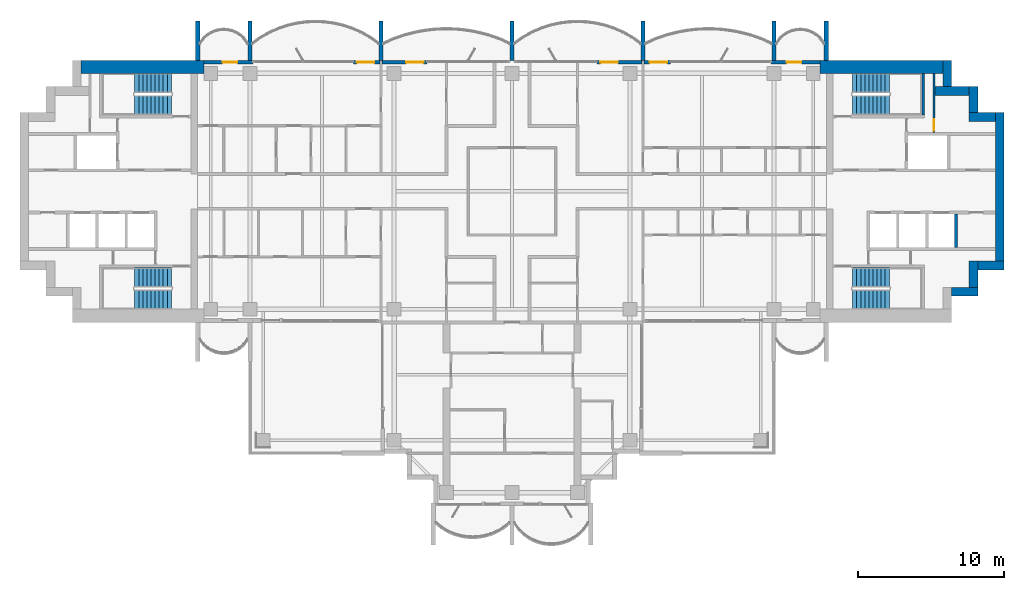
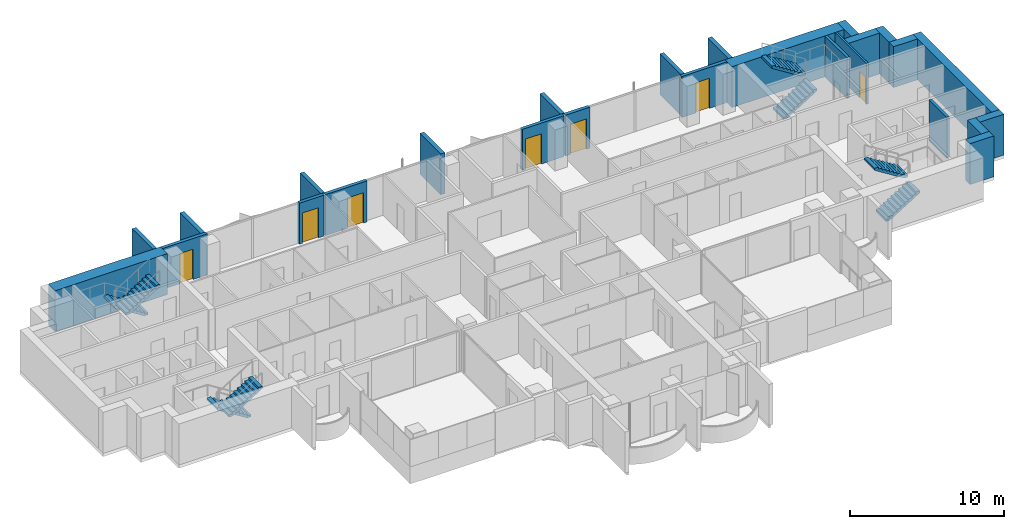
# One storey, part 13 of 17: 26 walls, 8 stair flights, 7 doors, 7 openings, 4 elements without a shape of their own.
"""IFC4 building model written with IfcOpenShell, lengths in metres."""

from ifc_helpers import new_model, si_unit, direction, frame, frame_2d, origin, place, context, subcontext, project, spatial, polyline, rectangle, outline, extrude, material, layer, layer_set, type_object, element, fill, aggregate, save


model = new_model("IFC4")

# Units and contexts
model_context = context("Model", 3, precision=1e-05, world=origin(), true_north=direction((0.0, 1.0)))
body_context = subcontext(model_context, "Body", "Model", "MODEL_VIEW")
ifc_project = project(units=[si_unit("LENGTHUNIT", "METRE"), si_unit("AREAUNIT", "SQUARE_METRE"), si_unit("VOLUMEUNIT", "CUBIC_METRE"), si_unit("PLANEANGLEUNIT", "RADIAN"), si_unit("MASSUNIT", "GRAM", prefix="KILO")], contexts=[model_context])

# Site, building, storey
site_placement = place(None, origin())
site = spatial("IfcSite", under=ifc_project, at=site_placement, CompositionType="ELEMENT")
building_placement = place(site_placement, origin())
building = spatial("IfcBuilding", under=site, at=building_placement, Name="Perihelion Cross Residences", CompositionType="ELEMENT")
storey_placement = place(building_placement, frame((0.0, 0.0, 194.60009765625)))
storey = spatial("IfcBuildingStorey", under=building, at=storey_placement, Name="L48", CompositionType="ELEMENT", Elevation=194.60009765625)

# Wall, opening, door
ifc_material_1 = material(Name="Concrete C30/37, bronze-clad", Category="concrete")
ifc_layer_1 = layer(ifc_material_1, 0.25)
ifc_layer_set_1 = layer_set([ifc_layer_1], Name="Bronze-clad pier wall 250")
wall_type_1 = type_object("IfcWallType", Name="Bronze-clad pier wall 250", PredefinedType="SOLIDWALL", material=ifc_layer_set_1)
wall_1_placement = place(storey_placement, frame((21.175048828125, 8.875, 0.0), z_axis=(0.0, 0.0, 1.0), x_axis=(-1.0, 0.0, 0.0)))
wall_1 = element("IfcWall", 1, at=wall_1_placement, inside=storey, type_object=wall_type_1, Name="Wall FW1 L48 east side north bay 1 pier", PredefinedType="SOLIDWALL", context=body_context, shape_type="SweptSolid", body=[
    extrude(rectangle(XDim=3.375, YDim=0.25, at=frame_2d((1.6875, 0.0))), origin(), (0.0, 0.0, 1.0), 3.25),
])
opening_1_placement = place(wall_1_placement, frame((1.300048828125, 0.0, 0.0)))
opening_1 = element("IfcOpeningElement", 2, at=opening_1_placement, cuts=wall_1, Name="Opening L48.E01", PredefinedType="OPENING", context=body_context, shape_type="SweptSolid", body=[
    extrude(rectangle(XDim=1.0, YDim=2.39990234375, at=frame_2d((0.5, 1.199951171875))), frame((0.0, 0.135009765625, 0.0), z_axis=(0.0, -1.0, 0.0), x_axis=(1.0, 0.0, 0.0)), (0.0, 0.0, 1.0), 0.27001953125),
])
ifc_material_2 = material(Name="Bronze anodised aluminium, glazed", Category="aluminium")
door_type_1 = type_object("IfcDoorType", Name="Balcony door 1000 x 2400", OperationType="NOTDEFINED", PredefinedType="DOOR", material=ifc_material_2)
door_1_placement = place(opening_1_placement, origin())
door_1 = element("IfcDoor", 3, at=door_1_placement, inside=storey, type_object=door_type_1, Name="Door L48.E01 east side north bay 1", OperationType="SINGLE_SWING_LEFT", OverallHeight=2.39990234375, OverallWidth=1.0, PredefinedType="DOOR", context=body_context, shape_type="SweptSolid", body=[
    extrude(rectangle(XDim=1.0, YDim=2.39990234375, at=frame_2d((0.5, 1.199951171875))), frame((0.0, 0.02490234375, 0.0), z_axis=(0.0, -1.0, 0.0), x_axis=(1.0, 0.0, 0.0)), (0.0, 0.0, 1.0), 0.050048828125),
])
fill(opening_1, door_1)

wall_2_placement = place(storey_placement, frame((10.89990234375, 8.875, 0.0), z_axis=(0.0, 0.0, 1.0), x_axis=(-1.0, 0.0, 0.0)))
wall_2 = element("IfcWall", 4, at=wall_2_placement, inside=storey, type_object=wall_type_1, Name="Wall FW1 L48 east side north bay 2 pier", PredefinedType="SOLIDWALL", context=body_context, shape_type="SweptSolid", body=[
    extrude(rectangle(XDim=1.83984375, YDim=0.25, at=frame_2d((0.919921875, 0.0))), origin(), (0.0, 0.0, 1.0), 3.25),
])
opening_2_placement = place(wall_2_placement, frame((0.25, 0.0, 0.0)))
opening_2 = element("IfcOpeningElement", 5, at=opening_2_placement, cuts=wall_2, Name="Opening L48.E02", PredefinedType="OPENING", context=body_context, shape_type="SweptSolid", body=[
    extrude(rectangle(XDim=1.199951171875, YDim=2.39990234375, at=frame_2d((0.60009765625, 1.199951171875))), frame((0.0, 0.135009765625, 0.0), z_axis=(0.0, -1.0, 0.0), x_axis=(1.0, 0.0, 0.0)), (0.0, 0.0, 1.0), 0.27001953125),
])
ifc_material_3 = material(Name="Bronze anodised aluminium, glazed", Category="aluminium")
door_type_2 = type_object("IfcDoorType", Name="Balcony door 1200 x 2400", OperationType="NOTDEFINED", PredefinedType="DOOR", material=ifc_material_3)
door_2_placement = place(opening_2_placement, origin())
door_2 = element("IfcDoor", 6, at=door_2_placement, inside=storey, type_object=door_type_2, Name="Door L48.E02 east side north bay 2", OperationType="SINGLE_SWING_RIGHT", OverallHeight=2.39990234375, OverallWidth=1.199951171875, PredefinedType="DOOR", context=body_context, shape_type="SweptSolid", body=[
    extrude(rectangle(XDim=1.199951171875, YDim=2.39990234375, at=frame_2d((0.60009765625, 1.199951171875))), frame((0.0, 0.02490234375, 0.0), z_axis=(0.0, -1.0, 0.0), x_axis=(1.0, 0.0, 0.0)), (0.0, 0.0, 1.0), 0.050048828125),
])
fill(opening_2, door_2)

wall_3_placement = place(storey_placement, frame((8.93994140625, 8.875, 0.0), z_axis=(0.0, 0.0, 1.0), x_axis=(-1.0, 0.0, 0.0)))
wall_3 = element("IfcWall", 7, at=wall_3_placement, inside=storey, type_object=wall_type_1, Name="Wall FW1 L48 north side east bay 1 pier", PredefinedType="SOLIDWALL", context=body_context, shape_type="SweptSolid", body=[
    extrude(rectangle(XDim=3.114990234375, YDim=0.25, at=frame_2d((1.5576171875, 0.0))), origin(), (0.0, 0.0, 1.0), 3.25),
])
opening_3_placement = place(wall_3_placement, frame((1.6650390625, 0.0, 0.0)))
opening_3 = element("IfcOpeningElement", 8, at=opening_3_placement, cuts=wall_3, Name="Opening L48.E03", PredefinedType="OPENING", context=body_context, shape_type="SweptSolid", body=[
    extrude(rectangle(XDim=1.199951171875, YDim=2.39990234375, at=frame_2d((0.60009765625, 1.199951171875))), frame((0.0, 0.135009765625, 0.0), z_axis=(0.0, -1.0, 0.0), x_axis=(1.0, 0.0, 0.0)), (0.0, 0.0, 1.0), 0.27001953125),
])
door_3_placement = place(opening_3_placement, origin())
door_3 = element("IfcDoor", 9, at=door_3_placement, inside=storey, type_object=door_type_2, Name="Door L48.E03 north side east bay 1", OperationType="SINGLE_SWING_LEFT", OverallHeight=2.39990234375, OverallWidth=1.199951171875, PredefinedType="DOOR", context=body_context, shape_type="SweptSolid", body=[
    extrude(rectangle(XDim=1.199951171875, YDim=2.39990234375, at=frame_2d((0.60009765625, 1.199951171875))), frame((0.0, 0.02490234375, 0.0), z_axis=(0.0, -1.0, 0.0), x_axis=(1.0, 0.0, 0.0)), (0.0, 0.0, 1.0), 0.050048828125),
])
fill(opening_3, door_3)

wall_4_placement = place(storey_placement, frame((-5.824951171875, 8.875, 0.0), z_axis=(0.0, 0.0, 1.0), x_axis=(-1.0, 0.0, 0.0)))
wall_4 = element("IfcWall", 10, at=wall_4_placement, inside=storey, type_object=wall_type_1, Name="Wall FW1 L48 north side east bay 2 pier", PredefinedType="SOLIDWALL", context=body_context, shape_type="SweptSolid", body=[
    extrude(rectangle(XDim=3.114990234375, YDim=0.25, at=frame_2d((1.5576171875, 0.0))), origin(), (0.0, 0.0, 1.0), 3.25),
])
opening_4_placement = place(wall_4_placement, frame((0.25, 0.0, 0.0)))
opening_4 = element("IfcOpeningElement", 11, at=opening_4_placement, cuts=wall_4, Name="Opening L48.E04", PredefinedType="OPENING", context=body_context, shape_type="SweptSolid", body=[
    extrude(rectangle(XDim=1.199951171875, YDim=2.39990234375, at=frame_2d((0.60009765625, 1.199951171875))), frame((0.0, 0.135009765625, 0.0), z_axis=(0.0, -1.0, 0.0), x_axis=(1.0, 0.0, 0.0)), (0.0, 0.0, 1.0), 0.27001953125),
])
door_4_placement = place(opening_4_placement, origin())
door_4 = element("IfcDoor", 12, at=door_4_placement, inside=storey, type_object=door_type_2, Name="Door L48.E04 north side east bay 2", OperationType="SINGLE_SWING_RIGHT", OverallHeight=2.39990234375, OverallWidth=1.199951171875, PredefinedType="DOOR", context=body_context, shape_type="SweptSolid", body=[
    extrude(rectangle(XDim=1.199951171875, YDim=2.39990234375, at=frame_2d((0.60009765625, 1.199951171875))), frame((0.0, 0.02490234375, 0.0), z_axis=(0.0, -1.0, 0.0), x_axis=(1.0, 0.0, 0.0)), (0.0, 0.0, 1.0), 0.050048828125),
])
fill(opening_4, door_4)

wall_5_placement = place(storey_placement, frame((-9.06005859375, 8.875, 0.0), z_axis=(0.0, 0.0, 1.0), x_axis=(-1.0, 0.0, 0.0)))
wall_5 = element("IfcWall", 13, at=wall_5_placement, inside=storey, type_object=wall_type_1, Name="Wall FW1 L48 west side north bay 1 pier", PredefinedType="SOLIDWALL", context=body_context, shape_type="SweptSolid", body=[
    extrude(rectangle(XDim=1.83984375, YDim=0.25, at=frame_2d((0.919921875, 0.0))), origin(), (0.0, 0.0, 1.0), 3.25),
])
opening_5_placement = place(wall_5_placement, frame((0.389892578125, 0.0, 0.0)))
opening_5 = element("IfcOpeningElement", 14, at=opening_5_placement, cuts=wall_5, Name="Opening L48.E05", PredefinedType="OPENING", context=body_context, shape_type="SweptSolid", body=[
    extrude(rectangle(XDim=1.199951171875, YDim=2.39990234375, at=frame_2d((0.60009765625, 1.199951171875))), frame((0.0, 0.135009765625, 0.0), z_axis=(0.0, -1.0, 0.0), x_axis=(1.0, 0.0, 0.0)), (0.0, 0.0, 1.0), 0.27001953125),
])
door_5_placement = place(opening_5_placement, origin())
door_5 = element("IfcDoor", 15, at=door_5_placement, inside=storey, type_object=door_type_2, Name="Door L48.E05 west side north bay 1", OperationType="SINGLE_SWING_LEFT", OverallHeight=2.39990234375, OverallWidth=1.199951171875, PredefinedType="DOOR", context=body_context, shape_type="SweptSolid", body=[
    extrude(rectangle(XDim=1.199951171875, YDim=2.39990234375, at=frame_2d((0.60009765625, 1.199951171875))), frame((0.0, 0.02490234375, 0.0), z_axis=(0.0, -1.0, 0.0), x_axis=(1.0, 0.0, 0.0)), (0.0, 0.0, 1.0), 0.050048828125),
])
fill(opening_5, door_5)

wall_6_placement = place(storey_placement, frame((-17.800048828125, 8.875, 0.0), z_axis=(0.0, 0.0, 1.0), x_axis=(-1.0, 0.0, 0.0)))
wall_6 = element("IfcWall", 16, at=wall_6_placement, inside=storey, type_object=wall_type_1, Name="Wall FW1 L48 west side north bay 2 pier", PredefinedType="SOLIDWALL", context=body_context, shape_type="SweptSolid", body=[
    extrude(rectangle(XDim=3.375, YDim=0.25, at=frame_2d((1.6875, 0.0))), origin(), (0.0, 0.0, 1.0), 3.25),
])
opening_6_placement = place(wall_6_placement, frame((1.074951171875, 0.0, 0.0)))
opening_6 = element("IfcOpeningElement", 17, at=opening_6_placement, cuts=wall_6, Name="Opening L48.E06", PredefinedType="OPENING", context=body_context, shape_type="SweptSolid", body=[
    extrude(rectangle(XDim=1.0, YDim=2.39990234375, at=frame_2d((0.5, 1.199951171875))), frame((0.0, 0.135009765625, 0.0), z_axis=(0.0, -1.0, 0.0), x_axis=(1.0, 0.0, 0.0)), (0.0, 0.0, 1.0), 0.27001953125),
])
door_6_placement = place(opening_6_placement, origin())
door_6 = element("IfcDoor", 18, at=door_6_placement, inside=storey, type_object=door_type_1, Name="Door L48.E06 west side north bay 2", OperationType="SINGLE_SWING_RIGHT", OverallHeight=2.39990234375, OverallWidth=1.0, PredefinedType="DOOR", context=body_context, shape_type="SweptSolid", body=[
    extrude(rectangle(XDim=1.0, YDim=2.39990234375, at=frame_2d((0.5, 1.199951171875))), frame((0.0, 0.02490234375, 0.0), z_axis=(0.0, -1.0, 0.0), x_axis=(1.0, 0.0, 0.0)), (0.0, 0.0, 1.0), 0.050048828125),
])
fill(opening_6, door_6)

# Walls
ifc_material_4 = material(Name="Concrete C60/75", Category="concrete")
ifc_layer_2 = layer(ifc_material_4, 0.60009765625)
ifc_layer_set_2 = layer_set([ifc_layer_2], Name="Core wall, outer 600")
wall_type_2 = type_object("IfcWallType", Name="Core wall, outer 600", PredefinedType="SHEAR", material=ifc_layer_set_2)
for number, where, z_axis, x_axis, name in (
    (19, (30.199951171875, -6.89990234375, 0.0), (0.0, 0.0, 1.0), (1.0, 0.0, 0.0), "East core core wall, outer"),
    (20, (31.699951171875, -6.60009765625, 0.0), (0.0, 0.0, 1.0), (0.0, 1.0, 0.0), "East core core wall, outer"),
    (21, (32.0, -5.10009765625, 0.0), (0.0, 0.0, 1.0), (1.0, 0.0, 0.0), "East core core wall, outer"),
):
    element("IfcWall", number, at=place(storey_placement, frame(where, z_axis=z_axis, x_axis=x_axis)), inside=storey, type_object=wall_type_2, Name=name, PredefinedType="SHEAR", context=body_context, shape_type="SweptSolid", body=[
        extrude(rectangle(XDim=1.800048828125, YDim=0.60009765625, at=frame_2d((0.89990234375, 0.0))), origin(), (0.0, 0.0, 1.0), 3.25),
    ])
wall_7_placement = place(storey_placement, frame((33.5, -4.800048828125, 0.0), z_axis=(0.0, 0.0, 1.0), x_axis=(0.0, 1.0, 0.0)))
element("IfcWall", 22, at=wall_7_placement, inside=storey, type_object=wall_type_2, Name="East core core wall, outer", PredefinedType="SHEAR", context=body_context, shape_type="SweptSolid", body=[
    extrude(rectangle(XDim=10.199951171875, YDim=0.60009765625, at=frame_2d((5.10009765625, 0.0))), origin(), (0.0, 0.0, 1.0), 3.25),
])
for number, where, z_axis, x_axis, name in (
    (23, (31.39990234375, 5.10009765625, 0.0), (0.0, 0.0, 1.0), (1.0, 0.0, 0.0), "East core core wall, outer"),
    (24, (31.699951171875, 5.39990234375, 0.0), (0.0, 0.0, 1.0), (0.0, 1.0, 0.0), "East core core wall, outer"),
):
    element("IfcWall", number, at=place(storey_placement, frame(where, z_axis=z_axis, x_axis=x_axis)), inside=storey, type_object=wall_type_2, Name=name, PredefinedType="SHEAR", context=body_context, shape_type="SweptSolid", body=[
        extrude(rectangle(XDim=1.800048828125, YDim=0.60009765625, at=frame_2d((0.89990234375, 0.0))), origin(), (0.0, 0.0, 1.0), 3.25),
    ])
wall_8_placement = place(storey_placement, frame((29.074951171875, 6.89990234375, 0.0), z_axis=(0.0, 0.0, 1.0), x_axis=(1.0, 0.0, 0.0)))
element("IfcWall", 25, at=wall_8_placement, inside=storey, type_object=wall_type_2, Name="East core core wall, outer", PredefinedType="SHEAR", context=body_context, shape_type="SweptSolid", body=[
    extrude(rectangle(XDim=2.324951171875, YDim=0.60009765625, at=frame_2d((1.16259765625, 0.0))), origin(), (0.0, 0.0, 1.0), 3.25),
])
wall_9_placement = place(storey_placement, frame((29.89990234375, 7.199951171875, 0.0), z_axis=(0.0, 0.0, 1.0), x_axis=(0.0, 1.0, 0.0)))
element("IfcWall", 26, at=wall_9_placement, inside=storey, type_object=wall_type_2, Name="East core core wall, outer", PredefinedType="SHEAR", context=body_context, shape_type="SweptSolid", body=[
    extrude(rectangle(XDim=1.800048828125, YDim=0.60009765625, at=frame_2d((0.89990234375, 0.0))), origin(), (0.0, 0.0, 1.0), 3.25),
])
ifc_material_5 = material(Name="Concrete C60/75", Category="concrete")
ifc_layer_3 = layer(ifc_material_5, 0.89990234375)
ifc_layer_set_3 = layer_set([ifc_layer_3], Name="Core wall, outer 900")
wall_type_3 = type_object("IfcWallType", Name="Core wall, outer 900", PredefinedType="SHEAR", material=ifc_layer_set_3)
for number, where, z_axis, x_axis, name in (
    (27, (21.175048828125, 8.550048828125, 0.0), (0.0, 0.0, 1.0), (1.0, 0.0, 0.0), "East core core wall, outer"),
    (28, (-29.60009765625, 8.550048828125, 0.0), (0.0, 0.0, 1.0), (1.0, 0.0, 0.0), "West core core wall, outer"),
):
    element("IfcWall", number, at=place(storey_placement, frame(where, z_axis=z_axis, x_axis=x_axis)), inside=storey, type_object=wall_type_3, Name=name, PredefinedType="SHEAR", context=body_context, shape_type="SweptSolid", body=[
        extrude(rectangle(XDim=8.425048828125, YDim=0.89990234375, at=frame_2d((4.21240234375, 0.0))), origin(), (0.0, 0.0, 1.0), 3.25),
    ])
ifc_material_6 = material(Name="Precast concrete C50/60", Category="concrete")
ifc_layer_4 = layer(ifc_material_6, 0.300048828125)
ifc_layer_set_4 = layer_set([ifc_layer_4], Name="Precast concrete C50/60 blade wall 300")
wall_type_4 = type_object("IfcWallType", Name="Precast concrete C50/60 blade wall 300", PredefinedType="SOLIDWALL", material=ifc_layer_set_4)
for number, where, z_axis, x_axis, name in (
    (29, (-21.60009765625, 9.0, 0.0), (0.0, 0.0, 1.0), (0.0, 1.0, 0.0), "Wall BL1 L48 no. 4"),
    (30, (-18.0, 9.0, 0.0), (0.0, 0.0, 1.0), (0.0, 1.0, 0.0), "Wall BL1 L48 no. 2"),
    (31, (-9.0, 9.0, 0.0), (0.0, 0.0, 1.0), (0.0, 1.0, 0.0), "Wall BL1 L48 no. 7"),
    (32, (0.0, 9.0, 0.0), (0.0, 0.0, 1.0), (0.0, 1.0, 0.0), "Wall BL1 L48 no. 9"),
    (33, (9.0, 9.0, 0.0), (0.0, 0.0, 1.0), (0.0, 1.0, 0.0), "Wall BL1 L48 no. 16"),
    (34, (18.0, 9.0, 0.0), (0.0, 0.0, 1.0), (0.0, 1.0, 0.0), "Wall BL1 L48 no. 11"),
    (35, (21.60009765625, 9.0, 0.0), (0.0, 0.0, 1.0), (0.0, 1.0, 0.0), "Wall BL1 L48 no. 13"),
):
    element("IfcWall", number, at=place(storey_placement, frame(where, z_axis=z_axis, x_axis=x_axis)), inside=storey, type_object=wall_type_4, Name=name, PredefinedType="SOLIDWALL", context=body_context, shape_type="SweptSolid", body=[
        extrude(rectangle(XDim=2.699951171875, YDim=0.300048828125, at=frame_2d((1.35009765625, 0.0))), origin(), (0.0, 0.0, 1.0), 3.25),
    ])

# Wall, opening, door
ifc_material_7 = material(Name="Fire-rated board on steel stud", Category="steel")
ifc_layer_5 = layer(ifc_material_7, 0.14990234375)
ifc_layer_set_5 = layer_set([ifc_layer_5], Name="Riser wall 150")
wall_type_5 = type_object("IfcWallType", Name="Riser wall 150", PredefinedType="PARTITIONING", material=ifc_layer_set_5)
wall_10_placement = place(storey_placement, frame((29.0, 4.050048828125, 0.0), z_axis=(0.0, 0.0, 1.0), x_axis=(0.0, 1.0, 0.0)))
wall_10 = element("IfcWall", 36, at=wall_10_placement, inside=storey, type_object=wall_type_5, Name="East core riser wall", PredefinedType="PARTITIONING", context=body_context, shape_type="SweptSolid", body=[
    extrude(rectangle(XDim=4.050048828125, YDim=0.14990234375, at=frame_2d((2.02490234375, 0.0))), origin(), (0.0, 0.0, 1.0), 3.25),
])
opening_7_placement = place(wall_10_placement, frame((0.10009765625, 0.0, 0.0)))
opening_7 = element("IfcOpeningElement", 37, at=opening_7_placement, cuts=wall_10, Name="Opening L48.C12", PredefinedType="OPENING", context=body_context, shape_type="SweptSolid", body=[
    extrude(rectangle(XDim=0.800048828125, YDim=2.10009765625, at=frame_2d((0.39990234375, 1.050048828125))), frame((0.0, 0.0849609375, 0.0), z_axis=(0.0, -1.0, 0.0), x_axis=(1.0, 0.0, 0.0)), (0.0, 0.0, 1.0), 0.169921875),
])
ifc_material_8 = material(Name="Steel, powder coated", Category="steel")
door_type_3 = type_object("IfcDoorType", Name="Riser door 800", OperationType="SINGLE_SWING_LEFT", PredefinedType="DOOR", material=ifc_material_8)
door_7_placement = place(opening_7_placement, origin())
door_7 = element("IfcDoor", 38, at=door_7_placement, inside=storey, type_object=door_type_3, Name="East core riser door", OperationType="SINGLE_SWING_LEFT", OverallHeight=2.10009765625, OverallWidth=0.800048828125, PredefinedType="DOOR", context=body_context, shape_type="SweptSolid", body=[
    extrude(rectangle(XDim=0.800048828125, YDim=2.10009765625, at=frame_2d((0.39990234375, 1.050048828125))), frame((0.0, 0.02490234375, 0.0), z_axis=(0.0, -1.0, 0.0), x_axis=(1.0, 0.0, 0.0)), (0.0, 0.0, 1.0), 0.050048828125),
])
fill(opening_7, door_7)

# Walls
ifc_material_9 = material(Name="Concrete C50/60", Category="concrete")
ifc_layer_6 = layer(ifc_material_9, 0.199951171875)
ifc_layer_set_6 = layer_set([ifc_layer_6], Name="Shaft wall 200")
wall_type_6 = type_object("IfcWallType", Name="Shaft wall 200", PredefinedType="SOLIDWALL", material=ifc_layer_set_6)
wall_11_placement = place(storey_placement, frame((30.5, -3.85009765625, 0.0), z_axis=(0.0, 0.0, 1.0), x_axis=(0.0, 1.0, 0.0)))
element("IfcWall", 39, at=wall_11_placement, inside=storey, type_object=wall_type_6, Name="East core shaft wall", PredefinedType="SOLIDWALL", context=body_context, shape_type="SweptSolid", body=[
    extrude(rectangle(XDim=2.300048828125, YDim=0.199951171875, at=frame_2d((1.14990234375, 0.0))), origin(), (0.0, 0.0, 1.0), 3.25),
])
ifc_material_10 = material(Name="Concrete C50/60", Category="concrete")
ifc_layer_7 = layer(ifc_material_10, 0.199951171875)
ifc_layer_set_7 = layer_set([ifc_layer_7], Name="Stair wall 200")
wall_type_7 = type_object("IfcWallType", Name="Stair wall 200", PredefinedType="SOLIDWALL", material=ifc_layer_set_7)
wall_12_placement = place(storey_placement, frame((28.25, 5.25, 0.0), z_axis=(0.0, 0.0, 1.0), x_axis=(0.0, 1.0, 0.0)))
element("IfcWall", 40, at=wall_12_placement, inside=storey, type_object=wall_type_7, Name="East core stair wall", PredefinedType="SOLIDWALL", context=body_context, shape_type="SweptSolid", body=[
    extrude(rectangle(XDim=2.85009765625, YDim=0.199951171875, at=frame_2d((1.425048828125, 0.0))), origin(), (0.0, 0.0, 1.0), 3.25),
])

# Stair, stair flights
ifc_material_11 = material(Name="Concrete C40/50", Category="concrete")
stair_type = type_object("IfcStairType", Name="Exit stair, half-turn", PredefinedType="HALF_TURN_STAIR", material=ifc_material_11)
stair_1_placement = place(storey_placement, origin())
stair_1 = element("IfcStair", 41, at=stair_1_placement, inside=storey, type_object=stair_type, Name="L48 East core exit stair 1", PredefinedType="HALF_TURN_STAIR")
ifc_material_12 = material(Name="Concrete C40/50", Category="concrete")
stair_flight_type = type_object("IfcStairFlightType", Name="Exit stair flight", PredefinedType="STRAIGHT", material=ifc_material_12)
stair_flight_1_placement = place(storey_placement, frame((23.39990234375, 5.925048828125, 0.0), z_axis=(0.0, 0.0, 1.0), x_axis=(1.0, 0.0, 0.0)))
stair_flight_1 = element("IfcStairFlight", 42, at=stair_flight_1_placement, type_object=stair_flight_type, Name="ST-E1 flight 1", NumberOfRisers=10, NumberOfTreads=9, PredefinedType="STRAIGHT", RiserHeight=0.175, TreadLength=0.28, context=body_context, shape_type="SweptSolid", body=[
    extrude(outline(polyline([(0.0, 0.0), (0.0, 0.175048828125), (0.280029296875, 0.175048828125), (0.280029296875, 0.35009765625), (0.56005859375, 0.35009765625), (0.56005859375, 0.52490234375), (0.840087890625, 0.52490234375), (0.840087890625, 0.699951171875), (1.1201171875, 0.699951171875), (1.1201171875, 0.875), (1.39990234375, 0.875), (1.39990234375, 1.050048828125), (1.679931640625, 1.050048828125), (1.679931640625, 1.22509765625), (1.9599609375, 1.22509765625), (1.9599609375, 1.39990234375), (2.239990234375, 1.39990234375), (2.239990234375, 1.574951171875), (2.52001953125, 1.574951171875), (2.52001953125, 1.75), (2.52001953125, 1.398193359375), (0.28271484375, 0.0), (0.0, 0.0)])), frame((0.0, 0.675048828125, 0.0), z_axis=(0.0, -1.0, 0.0), x_axis=(1.0, 0.0, 0.0)), (0.0, 0.0, 1.0), 1.35009765625),
])
stair_flight_2_placement = place(storey_placement, frame((25.919921875, 7.425048828125, 1.75), z_axis=(0.0, 0.0, 1.0), x_axis=(-1.0, 0.0, 0.0)))
stair_flight_2 = element("IfcStairFlight", 43, at=stair_flight_2_placement, type_object=stair_flight_type, Name="ST-E1 flight 2", NumberOfRisers=10, NumberOfTreads=9, PredefinedType="STRAIGHT", RiserHeight=0.175, TreadLength=0.28, context=body_context, shape_type="SweptSolid", body=[
    extrude(outline(polyline([(0.0, 0.0), (0.0, 0.175048828125), (0.280029296875, 0.175048828125), (0.280029296875, 0.35009765625), (0.56005859375, 0.35009765625), (0.56005859375, 0.52490234375), (0.840087890625, 0.52490234375), (0.840087890625, 0.699951171875), (1.1201171875, 0.699951171875), (1.1201171875, 0.875), (1.39990234375, 0.875), (1.39990234375, 1.050048828125), (1.679931640625, 1.050048828125), (1.679931640625, 1.22509765625), (1.9599609375, 1.22509765625), (1.9599609375, 1.39990234375), (2.239990234375, 1.39990234375), (2.239990234375, 1.574951171875), (2.52001953125, 1.574951171875), (2.52001953125, 1.75), (2.52001953125, 1.398193359375), (0.28271484375, 0.0), (0.0, 0.0)])), frame((0.0, 0.675048828125, 0.0), z_axis=(0.0, -1.0, 0.0), x_axis=(1.0, 0.0, 0.0)), (0.0, 0.0, 1.0), 1.35009765625),
])
aggregate(stair_1, [stair_flight_1, stair_flight_2])

stair_2_placement = place(storey_placement, origin())
stair_2 = element("IfcStair", 44, at=stair_2_placement, inside=storey, type_object=stair_type, Name="L48 East core exit stair 2", PredefinedType="HALF_TURN_STAIR")
stair_flight_3_placement = place(storey_placement, frame((23.39990234375, -7.425048828125, 0.0), z_axis=(0.0, 0.0, 1.0), x_axis=(1.0, 0.0, 0.0)))
stair_flight_3 = element("IfcStairFlight", 45, at=stair_flight_3_placement, type_object=stair_flight_type, Name="ST-E2 flight 1", NumberOfRisers=10, NumberOfTreads=9, PredefinedType="STRAIGHT", RiserHeight=0.175, TreadLength=0.28, context=body_context, shape_type="SweptSolid", body=[
    extrude(outline(polyline([(0.0, 0.0), (0.0, 0.175048828125), (0.280029296875, 0.175048828125), (0.280029296875, 0.35009765625), (0.56005859375, 0.35009765625), (0.56005859375, 0.52490234375), (0.840087890625, 0.52490234375), (0.840087890625, 0.699951171875), (1.1201171875, 0.699951171875), (1.1201171875, 0.875), (1.39990234375, 0.875), (1.39990234375, 1.050048828125), (1.679931640625, 1.050048828125), (1.679931640625, 1.22509765625), (1.9599609375, 1.22509765625), (1.9599609375, 1.39990234375), (2.239990234375, 1.39990234375), (2.239990234375, 1.574951171875), (2.52001953125, 1.574951171875), (2.52001953125, 1.75), (2.52001953125, 1.398193359375), (0.28271484375, 0.0), (0.0, 0.0)])), frame((0.0, 0.675048828125, 0.0), z_axis=(0.0, -1.0, 0.0), x_axis=(1.0, 0.0, 0.0)), (0.0, 0.0, 1.0), 1.35009765625),
])
stair_flight_4_placement = place(storey_placement, frame((25.919921875, -5.925048828125, 1.75), z_axis=(0.0, 0.0, 1.0), x_axis=(-1.0, 0.0, 0.0)))
stair_flight_4 = element("IfcStairFlight", 46, at=stair_flight_4_placement, type_object=stair_flight_type, Name="ST-E2 flight 2", NumberOfRisers=10, NumberOfTreads=9, PredefinedType="STRAIGHT", RiserHeight=0.175, TreadLength=0.28, context=body_context, shape_type="SweptSolid", body=[
    extrude(outline(polyline([(0.0, 0.0), (0.0, 0.175048828125), (0.280029296875, 0.175048828125), (0.280029296875, 0.35009765625), (0.56005859375, 0.35009765625), (0.56005859375, 0.52490234375), (0.840087890625, 0.52490234375), (0.840087890625, 0.699951171875), (1.1201171875, 0.699951171875), (1.1201171875, 0.875), (1.39990234375, 0.875), (1.39990234375, 1.050048828125), (1.679931640625, 1.050048828125), (1.679931640625, 1.22509765625), (1.9599609375, 1.22509765625), (1.9599609375, 1.39990234375), (2.239990234375, 1.39990234375), (2.239990234375, 1.574951171875), (2.52001953125, 1.574951171875), (2.52001953125, 1.75), (2.52001953125, 1.398193359375), (0.28271484375, 0.0), (0.0, 0.0)])), frame((0.0, 0.675048828125, 0.0), z_axis=(0.0, -1.0, 0.0), x_axis=(1.0, 0.0, 0.0)), (0.0, 0.0, 1.0), 1.35009765625),
])
aggregate(stair_2, [stair_flight_3, stair_flight_4])

stair_3_placement = place(storey_placement, origin())
stair_3 = element("IfcStair", 47, at=stair_3_placement, inside=storey, type_object=stair_type, Name="L48 West core exit stair 1", PredefinedType="HALF_TURN_STAIR")
stair_flight_5_placement = place(storey_placement, frame((-23.39990234375, 7.425048828125, 0.0), z_axis=(0.0, 0.0, 1.0), x_axis=(-1.0, 0.0, 0.0)))
stair_flight_5 = element("IfcStairFlight", 48, at=stair_flight_5_placement, type_object=stair_flight_type, Name="ST-W1 flight 1", NumberOfRisers=10, NumberOfTreads=9, PredefinedType="STRAIGHT", RiserHeight=0.175, TreadLength=0.28, context=body_context, shape_type="SweptSolid", body=[
    extrude(outline(polyline([(0.0, 0.0), (0.0, 0.175048828125), (0.280029296875, 0.175048828125), (0.280029296875, 0.35009765625), (0.56005859375, 0.35009765625), (0.56005859375, 0.52490234375), (0.840087890625, 0.52490234375), (0.840087890625, 0.699951171875), (1.1201171875, 0.699951171875), (1.1201171875, 0.875), (1.39990234375, 0.875), (1.39990234375, 1.050048828125), (1.679931640625, 1.050048828125), (1.679931640625, 1.22509765625), (1.9599609375, 1.22509765625), (1.9599609375, 1.39990234375), (2.239990234375, 1.39990234375), (2.239990234375, 1.574951171875), (2.52001953125, 1.574951171875), (2.52001953125, 1.75), (2.52001953125, 1.398193359375), (0.28271484375, 0.0), (0.0, 0.0)])), frame((0.0, 0.675048828125, 0.0), z_axis=(0.0, -1.0, 0.0), x_axis=(1.0, 0.0, 0.0)), (0.0, 0.0, 1.0), 1.35009765625),
])
stair_flight_6_placement = place(storey_placement, frame((-25.919921875, 5.925048828125, 1.75), z_axis=(0.0, 0.0, 1.0), x_axis=(1.0, 0.0, 0.0)))
stair_flight_6 = element("IfcStairFlight", 49, at=stair_flight_6_placement, type_object=stair_flight_type, Name="ST-W1 flight 2", NumberOfRisers=10, NumberOfTreads=9, PredefinedType="STRAIGHT", RiserHeight=0.175, TreadLength=0.28, context=body_context, shape_type="SweptSolid", body=[
    extrude(outline(polyline([(0.0, 0.0), (0.0, 0.175048828125), (0.280029296875, 0.175048828125), (0.280029296875, 0.35009765625), (0.56005859375, 0.35009765625), (0.56005859375, 0.52490234375), (0.840087890625, 0.52490234375), (0.840087890625, 0.699951171875), (1.1201171875, 0.699951171875), (1.1201171875, 0.875), (1.39990234375, 0.875), (1.39990234375, 1.050048828125), (1.679931640625, 1.050048828125), (1.679931640625, 1.22509765625), (1.9599609375, 1.22509765625), (1.9599609375, 1.39990234375), (2.239990234375, 1.39990234375), (2.239990234375, 1.574951171875), (2.52001953125, 1.574951171875), (2.52001953125, 1.75), (2.52001953125, 1.398193359375), (0.28271484375, 0.0), (0.0, 0.0)])), frame((0.0, 0.675048828125, 0.0), z_axis=(0.0, -1.0, 0.0), x_axis=(1.0, 0.0, 0.0)), (0.0, 0.0, 1.0), 1.35009765625),
])
aggregate(stair_3, [stair_flight_5, stair_flight_6])

stair_4_placement = place(storey_placement, origin())
stair_4 = element("IfcStair", 50, at=stair_4_placement, inside=storey, type_object=stair_type, Name="L48 West core exit stair 2", PredefinedType="HALF_TURN_STAIR")
stair_flight_7_placement = place(storey_placement, frame((-23.39990234375, -5.925048828125, 0.0), z_axis=(0.0, 0.0, 1.0), x_axis=(-1.0, 0.0, 0.0)))
stair_flight_7 = element("IfcStairFlight", 51, at=stair_flight_7_placement, type_object=stair_flight_type, Name="ST-W2 flight 1", NumberOfRisers=10, NumberOfTreads=9, PredefinedType="STRAIGHT", RiserHeight=0.175, TreadLength=0.28, context=body_context, shape_type="SweptSolid", body=[
    extrude(outline(polyline([(0.0, 0.0), (0.0, 0.175048828125), (0.280029296875, 0.175048828125), (0.280029296875, 0.35009765625), (0.56005859375, 0.35009765625), (0.56005859375, 0.52490234375), (0.840087890625, 0.52490234375), (0.840087890625, 0.699951171875), (1.1201171875, 0.699951171875), (1.1201171875, 0.875), (1.39990234375, 0.875), (1.39990234375, 1.050048828125), (1.679931640625, 1.050048828125), (1.679931640625, 1.22509765625), (1.9599609375, 1.22509765625), (1.9599609375, 1.39990234375), (2.239990234375, 1.39990234375), (2.239990234375, 1.574951171875), (2.52001953125, 1.574951171875), (2.52001953125, 1.75), (2.52001953125, 1.398193359375), (0.28271484375, 0.0), (0.0, 0.0)])), frame((0.0, 0.675048828125, 0.0), z_axis=(0.0, -1.0, 0.0), x_axis=(1.0, 0.0, 0.0)), (0.0, 0.0, 1.0), 1.35009765625),
])
stair_flight_8_placement = place(storey_placement, frame((-25.919921875, -7.425048828125, 1.75), z_axis=(0.0, 0.0, 1.0), x_axis=(1.0, 0.0, 0.0)))
stair_flight_8 = element("IfcStairFlight", 52, at=stair_flight_8_placement, type_object=stair_flight_type, Name="ST-W2 flight 2", NumberOfRisers=10, NumberOfTreads=9, PredefinedType="STRAIGHT", RiserHeight=0.175, TreadLength=0.28, context=body_context, shape_type="SweptSolid", body=[
    extrude(outline(polyline([(0.0, 0.0), (0.0, 0.175048828125), (0.280029296875, 0.175048828125), (0.280029296875, 0.35009765625), (0.56005859375, 0.35009765625), (0.56005859375, 0.52490234375), (0.840087890625, 0.52490234375), (0.840087890625, 0.699951171875), (1.1201171875, 0.699951171875), (1.1201171875, 0.875), (1.39990234375, 0.875), (1.39990234375, 1.050048828125), (1.679931640625, 1.050048828125), (1.679931640625, 1.22509765625), (1.9599609375, 1.22509765625), (1.9599609375, 1.39990234375), (2.239990234375, 1.39990234375), (2.239990234375, 1.574951171875), (2.52001953125, 1.574951171875), (2.52001953125, 1.75), (2.52001953125, 1.398193359375), (0.28271484375, 0.0), (0.0, 0.0)])), frame((0.0, 0.675048828125, 0.0), z_axis=(0.0, -1.0, 0.0), x_axis=(1.0, 0.0, 0.0)), (0.0, 0.0, 1.0), 1.35009765625),
])
aggregate(stair_4, [stair_flight_7, stair_flight_8])

save(model, "model.ifc")
